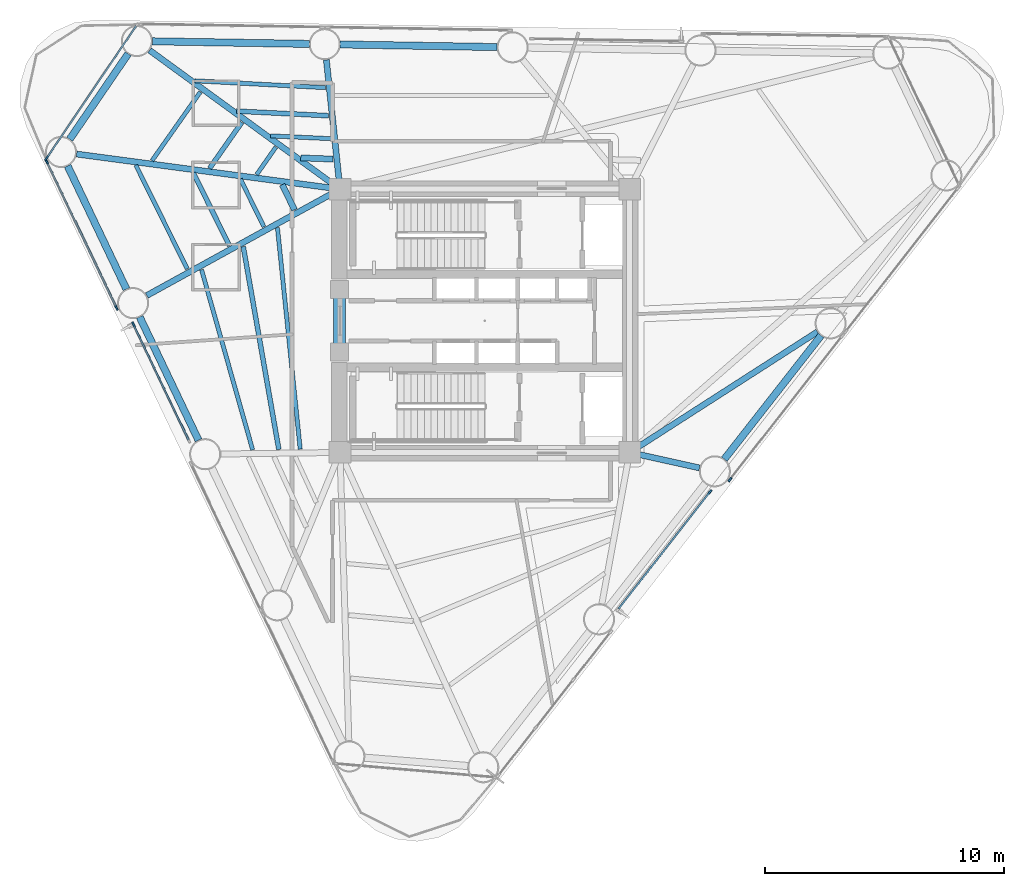
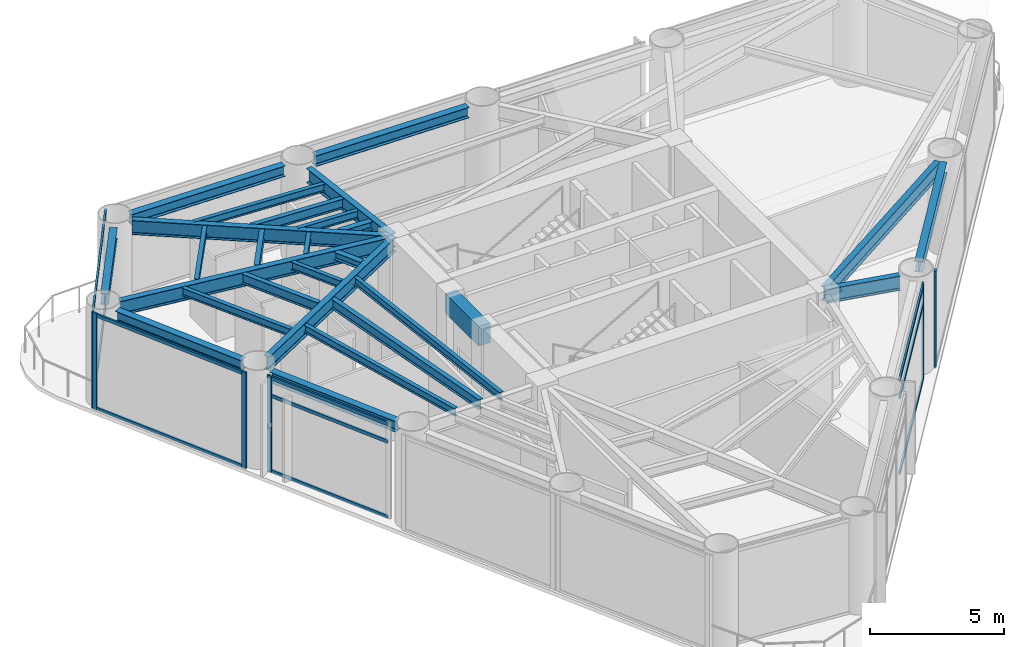
# One storey, part 3 of 11: 27 beams, 16 members, 5 elements without a shape of their own.
"""IFC4 building model written with IfcOpenShell, lengths in metres."""

from ifc_helpers import new_model, si_unit, direction, frame, origin, origin_2d, place, context, subcontext, project, spatial, rectangle, i_section, extrude, source, transform, mapped, material, layer, layer_set, material_profile, profile_set, type_object, element, aggregate, save


model = new_model("IFC4")

# Units and contexts
model_context = context("Model", 3, precision=1e-05, world=origin(), true_north=direction((0.0, 1.0)))
body_context = subcontext(model_context, "Body", "Model", "MODEL_VIEW")
ifc_project = project(units=[si_unit("LENGTHUNIT", "METRE"), si_unit("AREAUNIT", "SQUARE_METRE"), si_unit("VOLUMEUNIT", "CUBIC_METRE"), si_unit("PLANEANGLEUNIT", "RADIAN"), si_unit("MASSUNIT", "GRAM", prefix="KILO")], contexts=[model_context])

# Site, building, storey
site_placement = place(None, origin())
site = spatial("IfcSite", under=ifc_project, at=site_placement, CompositionType="ELEMENT")
building_placement = place(site_placement, origin())
building = spatial("IfcBuilding", under=site, at=building_placement, Name="Yunling Apex Tower", CompositionType="ELEMENT")
storey_placement = place(building_placement, frame((0.0, 0.0, 125.0)))
storey = spatial("IfcBuildingStorey", under=building, at=storey_placement, Name="L30", CompositionType="ELEMENT", Elevation=125.0)

# Beams
ifc_material_1 = material(Name="Concrete C50", Category="concrete")
ifc_material_profile_1 = material_profile(ifc_material_1, rectangle(XDim=0.5, YDim=0.89990234375, at=origin_2d()))
ifc_profile_set_1 = profile_set([ifc_material_profile_1], Name="Concrete C50")
beam_type_1 = type_object("IfcBeamType", Name="BC-CPL-2", PredefinedType="BEAM", material=ifc_profile_set_1)
shared_shape_1 = source(origin(), body_context, "Body", "SweptSolid", [
    extrude(rectangle(XDim=0.5, YDim=0.89990234375, at=origin_2d()), origin(), (0.0, 0.0, 1.0), 2.5),
])
beam_1_placement = place(storey_placement, frame((-6.074951171875, -1.25, 3.8701171875), z_axis=(0.0, 1.0, 0.0), x_axis=(-1.0, 0.0, 0.0)))
element("IfcBeam", 1, at=beam_1_placement, inside=storey, type_object=beam_type_1, Name="L30 Core West Portal Coupling Beam", PredefinedType="BEAM", context=body_context, shape_type="MappedRepresentation", body=[
    mapped(shared_shape_1, transform((0.0, 0.0, 0.0), scale=1.0)),
])
ifc_material_2 = material(Name="Steel Q355B", Category="steel")
ifc_material_profile_2 = material_profile(ifc_material_2, i_section(OverallWidth=0.300048828125, OverallDepth=0.489990234375, WebThickness=0.010986328125, FlangeThickness=0.01806640625, FilletRadius=0.02197265625, at=origin_2d()))
ifc_profile_set_2 = profile_set([ifc_material_profile_2], Name="Steel Q355B")
beam_type_2 = type_object("IfcBeamType", Name="BP-SPN-2", PredefinedType="SPANDREL", material=ifc_profile_set_2)
shared_shape_2 = source(origin(), body_context, "Body", "SweptSolid", [
    extrude(i_section(OverallWidth=0.300048828125, OverallDepth=0.489990234375, WebThickness=0.010986328125, FlangeThickness=0.01806640625, FilletRadius=0.02197265625, at=origin_2d()), origin(), (0.0, 0.0, 1.0), 6.562255859375),
])
beam_2_placement = place(storey_placement, frame((0.5166015625, 11.4375, 4.074951171875), z_axis=(-0.999859222118, 0.0167790329, 0.0), x_axis=(-0.0167790329, -0.999859222118, 0.0)))
element("IfcBeam", 2, at=beam_2_placement, inside=storey, type_object=beam_type_2, Name="L30 Perimeter Spandrel Beam 8", PredefinedType="SPANDREL", context=body_context, shape_type="MappedRepresentation", body=[
    mapped(shared_shape_2, transform((0.0, 0.0, 0.0), scale=1.0)),
])
shared_shape_3 = source(origin(), body_context, "Body", "SweptSolid", [
    extrude(i_section(OverallWidth=0.300048828125, OverallDepth=0.489990234375, WebThickness=0.010986328125, FlangeThickness=0.01806640625, FilletRadius=0.02197265625, at=origin_2d()), origin(), (0.0, 0.0, 1.0), 6.56201171875),
])
for number, where, z_axis, x_axis, name in (
    (3, (10.00732421875, -5.781982421875, 4.074951171875), (0.616233019323, 0.787563880518, 0.0), (-0.787563880518, 0.616233019323, 0.0), "L30 Perimeter Spandrel Beam 3"),
    (4, (-7.33251953125, 11.569091796875, 4.074951171875), (-0.999859211643, 0.016779657083, 0.0), (-0.016779657083, -0.999859211643, 0.0), "L30 Perimeter Spandrel Beam 9"),
):
    element("IfcBeam", number, at=place(storey_placement, frame(where, z_axis=z_axis, x_axis=x_axis)), inside=storey, type_object=beam_type_2, Name=name, PredefinedType="SPANDREL", context=body_context, shape_type="MappedRepresentation", body=[
        mapped(shared_shape_3, transform((0.0, 0.0, 0.0), scale=1.0)),
    ])
shared_shape_4 = source(origin(), body_context, "Body", "SweptSolid", [
    extrude(i_section(OverallWidth=0.300048828125, OverallDepth=0.489990234375, WebThickness=0.010986328125, FlangeThickness=0.01806640625, FilletRadius=0.02197265625, at=origin_2d()), origin(), (0.0, 0.0, 1.0), 4.328125),
])
beam_3_placement = place(storey_placement, frame((-14.901123046875, 11.158447265625, 4.074951171875), z_axis=(-0.564631339119, -0.825343232167, 0.0), x_axis=(0.825343232167, -0.564631339119, 0.0)))
element("IfcBeam", 5, at=beam_3_placement, inside=storey, type_object=beam_type_2, Name="L30 Perimeter Spandrel Beam 10", PredefinedType="SPANDREL", context=body_context, shape_type="MappedRepresentation", body=[
    mapped(shared_shape_4, transform((0.0, 0.0, 0.0), scale=1.0)),
])
shared_shape_5 = source(origin(), body_context, "Body", "SweptSolid", [
    extrude(i_section(OverallWidth=0.300048828125, OverallDepth=0.489990234375, WebThickness=0.010986328125, FlangeThickness=0.01806640625, FilletRadius=0.02197265625, at=origin_2d()), origin(), (0.0, 0.0, 1.0), 5.70751953125),
])
for number, where, z_axis, x_axis, name in (
    (6, (-17.431396484375, 6.473388671875, 4.074951171875), (0.430539541488, -0.902571716383, 0.0), (0.902571716383, 0.430539541488, 0.0), "L30 Perimeter Spandrel Beam 11"),
    (7, (-14.419677734375, 0.1591796875, 4.074951171875), (0.430539541488, -0.902571716383, 0.0), (0.902571716383, 0.430539541488, 0.0), "L30 Perimeter Spandrel Beam 12"),
):
    element("IfcBeam", number, at=place(storey_placement, frame(where, z_axis=z_axis, x_axis=x_axis)), inside=storey, type_object=beam_type_2, Name=name, PredefinedType="SPANDREL", context=body_context, shape_type="MappedRepresentation", body=[
        mapped(shared_shape_5, transform((0.0, 0.0, 0.0), scale=1.0)),
    ])
ifc_material_profile_3 = material_profile(ifc_material_2, i_section(OverallWidth=0.25, OverallDepth=0.64990234375, WebThickness=0.011962890625, FlangeThickness=0.02001953125, FilletRadius=0.02392578125, at=origin_2d()))
ifc_profile_set_3 = profile_set([ifc_material_profile_3], Name="Steel Q355B")
beam_type_3 = type_object("IfcBeamType", Name="BG-PRI-4", PredefinedType="USERDEFINED", material=ifc_profile_set_3)
shared_shape_6 = source(origin(), body_context, "Body", "SweptSolid", [
    extrude(i_section(OverallWidth=0.25, OverallDepth=0.64990234375, WebThickness=0.011962890625, FlangeThickness=0.02001953125, FilletRadius=0.02392578125, at=origin_2d()), origin(), (0.0, 0.0, 1.0), 2.908935546875),
])
beam_4_placement = place(storey_placement, frame((8.96826171875, -6.14697265625, 3.9951171875), z_axis=(-0.976295546219, 0.216441692917, 0.0), x_axis=(-0.216441692917, -0.976295546219, 0.0)))
element("IfcBeam", 8, at=beam_4_placement, inside=storey, type_object=beam_type_3, Name="L30 Radial Primary Girder R03", ObjectType="GIRDER", PredefinedType="USERDEFINED", context=body_context, shape_type="MappedRepresentation", body=[
    mapped(shared_shape_6, transform((0.0, 0.0, 0.0), scale=1.0)),
])
shared_shape_7 = source(origin(), body_context, "Body", "SweptSolid", [
    extrude(i_section(OverallWidth=0.25, OverallDepth=0.64990234375, WebThickness=0.011962890625, FlangeThickness=0.02001953125, FilletRadius=0.02392578125, at=origin_2d()), origin(), (0.0, 0.0, 1.0), 9.24267578125),
])
beam_5_placement = place(storey_placement, frame((13.894287109375, -0.46240234375, 3.9951171875), z_axis=(-0.841433276896, -0.540361027954, 0.0), x_axis=(0.540361027954, -0.841433276896, 0.0)))
element("IfcBeam", 9, at=beam_5_placement, inside=storey, type_object=beam_type_3, Name="L30 Radial Primary Girder R04", ObjectType="GIRDER", PredefinedType="USERDEFINED", context=body_context, shape_type="MappedRepresentation", body=[
    mapped(shared_shape_7, transform((0.0, 0.0, 0.0), scale=1.0)),
])
shared_shape_8 = source(origin(), body_context, "Body", "SweptSolid", [
    extrude(i_section(OverallWidth=0.25, OverallDepth=0.64990234375, WebThickness=0.011962890625, FlangeThickness=0.02001953125, FilletRadius=0.02392578125, at=origin_2d()), origin(), (0.0, 0.0, 1.0), 5.35400390625),
])
beam_6_placement = place(storey_placement, frame((-6.619384765625, 10.904052734375, 3.9951171875), z_axis=(0.104789227106, -0.99449445342, 0.0), x_axis=(0.99449445342, 0.104789227106, 0.0)))
element("IfcBeam", 10, at=beam_6_placement, inside=storey, type_object=beam_type_3, Name="L30 Radial Primary Girder R09", ObjectType="GIRDER", PredefinedType="USERDEFINED", context=body_context, shape_type="MappedRepresentation", body=[
    mapped(shared_shape_8, transform((0.0, 0.0, 0.0), scale=1.0)),
])
shared_shape_9 = source(origin(), body_context, "Body", "SweptSolid", [
    extrude(i_section(OverallWidth=0.25, OverallDepth=0.64990234375, WebThickness=0.011962890625, FlangeThickness=0.02001953125, FilletRadius=0.02392578125, at=origin_2d()), origin(), (0.0, 0.0, 1.0), 9.76708984375),
])
beam_7_placement = place(storey_placement, frame((-14.005859375, 11.30224609375, 3.9951171875), z_axis=(0.807958193343, -0.589239813497, 0.0), x_axis=(0.589239813497, 0.807958193343, 0.0)))
element("IfcBeam", 11, at=beam_7_placement, inside=storey, type_object=beam_type_3, Name="L30 Radial Primary Girder R10", ObjectType="GIRDER", PredefinedType="USERDEFINED", context=body_context, shape_type="MappedRepresentation", body=[
    mapped(shared_shape_9, transform((0.0, 0.0, 0.0), scale=1.0)),
])
shared_shape_10 = source(origin(), body_context, "Body", "SweptSolid", [
    extrude(i_section(OverallWidth=0.25, OverallDepth=0.64990234375, WebThickness=0.011962890625, FlangeThickness=0.02001953125, FilletRadius=0.02392578125, at=origin_2d()), origin(), (0.0, 0.0, 1.0), 11.023681640625),
])
beam_8_placement = place(storey_placement, frame((-17.056396484375, 6.9677734375, 3.9951171875), z_axis=(0.991223838358, -0.132194183952, 0.0), x_axis=(0.132194183952, 0.991223838358, 0.0)))
element("IfcBeam", 12, at=beam_8_placement, inside=storey, type_object=beam_type_3, Name="L30 Radial Primary Girder R11", ObjectType="GIRDER", PredefinedType="USERDEFINED", context=body_context, shape_type="MappedRepresentation", body=[
    mapped(shared_shape_10, transform((0.0, 0.0, 0.0), scale=1.0)),
])
shared_shape_11 = source(origin(), body_context, "Body", "SweptSolid", [
    extrude(i_section(OverallWidth=0.25, OverallDepth=0.64990234375, WebThickness=0.011962890625, FlangeThickness=0.02001953125, FilletRadius=0.02392578125, at=origin_2d()), origin(), (0.0, 0.0, 1.0), 9.132080078125),
])
beam_9_placement = place(storey_placement, frame((-14.120361328125, 1.057861328125, 3.9951171875), z_axis=(0.876057251214, 0.482207105501, 0.0), x_axis=(-0.482207105501, 0.876057251214, 0.0)))
element("IfcBeam", 13, at=beam_9_placement, inside=storey, type_object=beam_type_3, Name="L30 Radial Primary Girder R12", ObjectType="GIRDER", PredefinedType="USERDEFINED", context=body_context, shape_type="MappedRepresentation", body=[
    mapped(shared_shape_11, transform((0.0, 0.0, 0.0), scale=1.0)),
])
ifc_material_profile_4 = material_profile(ifc_material_2, i_section(OverallWidth=0.199951171875, OverallDepth=0.449951171875, WebThickness=0.009033203125, FlangeThickness=0.013916015625, FilletRadius=0.01806640625, at=origin_2d()))
ifc_profile_set_4 = profile_set([ifc_material_profile_4], Name="Steel Q355B")
beam_type_4 = type_object("IfcBeamType", Name="BS-SEC-3", PredefinedType="BEAM", material=ifc_profile_set_4)
shared_shape_12 = source(origin(), body_context, "Body", "SweptSolid", [
    extrude(i_section(OverallWidth=0.199951171875, OverallDepth=0.449951171875, WebThickness=0.009033203125, FlangeThickness=0.013916015625, FilletRadius=0.01806640625, at=origin_2d()), origin(), (0.0, 0.0, 1.0), 3.84619140625),
])
beam_10_placement = place(storey_placement, frame((-6.532470703125, 8.5693359375, 4.094970703125), z_axis=(-0.998745046624, 0.050083249128, 0.0), x_axis=(-0.050083249128, -0.998745046624, 0.0)))
element("IfcBeam", 14, at=beam_10_placement, inside=storey, type_object=beam_type_4, Name="L30 Composite Floor Beam BS-9", PredefinedType="BEAM", context=body_context, shape_type="MappedRepresentation", body=[
    mapped(shared_shape_12, transform((0.0, 0.0, 0.0), scale=1.0)),
])
ifc_material_profile_5 = material_profile(ifc_material_2, i_section(OverallWidth=0.175048828125, OverallDepth=0.35009765625, WebThickness=0.007080078125, FlangeThickness=0.010986328125, FilletRadius=0.013916015625, at=origin_2d()))
ifc_profile_set_5 = profile_set([ifc_material_profile_5], Name="Steel Q355B")
beam_type_5 = type_object("IfcBeamType", Name="BJ-JST-1", PredefinedType="JOIST", material=ifc_profile_set_5)
shared_shape_13 = source(origin(), body_context, "Body", "SweptSolid", [
    extrude(i_section(OverallWidth=0.175048828125, OverallDepth=0.35009765625, WebThickness=0.007080078125, FlangeThickness=0.010986328125, FilletRadius=0.013916015625, at=origin_2d()), origin(), (0.0, 0.0, 1.0), 5.4619140625),
])
beam_11_placement = place(storey_placement, frame((-6.65576171875, 9.740966796875, 4.14501953125), z_axis=(-0.998619804272, 0.052521295825, 0.0), x_axis=(-0.052521295825, -0.998619804272, 0.0)))
element("IfcBeam", 15, at=beam_11_placement, inside=storey, type_object=beam_type_5, Name="L30 Composite Floor Joist BJ1-9", PredefinedType="JOIST", context=body_context, shape_type="MappedRepresentation", body=[
    mapped(shared_shape_13, transform((0.0, 0.0, 0.0), scale=1.0)),
])
shared_shape_14 = source(origin(), body_context, "Body", "SweptSolid", [
    extrude(i_section(OverallWidth=0.175048828125, OverallDepth=0.35009765625, WebThickness=0.007080078125, FlangeThickness=0.010986328125, FilletRadius=0.013916015625, at=origin_2d()), origin(), (0.0, 0.0, 1.0), 2.52490234375),
])
beam_12_placement = place(storey_placement, frame((-6.431396484375, 7.6103515625, 4.14501953125), z_axis=(-0.998935787548, 0.046122579679, 0.0), x_axis=(-0.046122579679, -0.998935787548, 0.0)))
element("IfcBeam", 16, at=beam_12_placement, inside=storey, type_object=beam_type_5, Name="L30 Composite Floor Joist BJ3-9", PredefinedType="JOIST", context=body_context, shape_type="MappedRepresentation", body=[
    mapped(shared_shape_14, transform((0.0, 0.0, 0.0), scale=1.0)),
])
ifc_material_profile_6 = material_profile(ifc_material_2, i_section(OverallWidth=0.25, OverallDepth=0.340087890625, WebThickness=0.009033203125, FlangeThickness=0.013916015625, FilletRadius=0.01806640625, at=origin_2d()))
ifc_profile_set_6 = profile_set([ifc_material_profile_6], Name="Steel Q355B")
beam_type_6 = type_object("IfcBeamType", Name="BJ-JST-2", PredefinedType="JOIST", material=ifc_profile_set_6)
shared_shape_15 = source(origin(), body_context, "Body", "SweptSolid", [
    extrude(i_section(OverallWidth=0.25, OverallDepth=0.340087890625, WebThickness=0.009033203125, FlangeThickness=0.013916015625, FilletRadius=0.01806640625, at=origin_2d()), origin(), (0.0, 0.0, 1.0), 1.35009765625),
])
beam_13_placement = place(storey_placement, frame((-6.341796875, 6.7568359375, 4.14990234375), z_axis=(-0.999299138543, 0.03743302962, 0.0), x_axis=(-0.03743302962, -0.999299138543, 0.0)))
element("IfcBeam", 17, at=beam_13_placement, inside=storey, type_object=beam_type_6, Name="L30 Composite Floor Joist BJ2-9", PredefinedType="JOIST", context=body_context, shape_type="MappedRepresentation", body=[
    mapped(shared_shape_15, transform((0.0, 0.0, 0.0), scale=1.0)),
])
shared_shape_16 = source(origin(), body_context, "Body", "SweptSolid", [
    extrude(i_section(OverallWidth=0.199951171875, OverallDepth=0.449951171875, WebThickness=0.009033203125, FlangeThickness=0.013916015625, FilletRadius=0.01806640625, at=origin_2d()), origin(), (0.0, 0.0, 1.0), 2.349365234375),
])
beam_14_placement = place(storey_placement, frame((-10.152099609375, 8.293701171875, 4.094970703125), z_axis=(-0.574138652216, -0.818758088834, 0.0), x_axis=(0.818758088834, -0.574138652216, 0.0)))
element("IfcBeam", 18, at=beam_14_placement, inside=storey, type_object=beam_type_4, Name="L30 Composite Floor Beam BS-10", PredefinedType="BEAM", context=body_context, shape_type="MappedRepresentation", body=[
    mapped(shared_shape_16, transform((0.0, 0.0, 0.0), scale=1.0)),
])
shared_shape_17 = source(origin(), body_context, "Body", "SweptSolid", [
    extrude(i_section(OverallWidth=0.175048828125, OverallDepth=0.35009765625, WebThickness=0.007080078125, FlangeThickness=0.010986328125, FilletRadius=0.013916015625, at=origin_2d()), origin(), (0.0, 0.0, 1.0), 3.5068359375),
])
beam_15_placement = place(storey_placement, frame((-11.88818359375, 9.559814453125, 4.14501953125), z_axis=(-0.575031163817, -0.818131505712, 0.0), x_axis=(0.818131505712, -0.575031163817, 0.0)))
element("IfcBeam", 19, at=beam_15_placement, inside=storey, type_object=beam_type_5, Name="L30 Composite Floor Joist BJ1-10", PredefinedType="JOIST", context=body_context, shape_type="MappedRepresentation", body=[
    mapped(shared_shape_17, transform((0.0, 0.0, 0.0), scale=1.0)),
])
shared_shape_18 = source(origin(), body_context, "Body", "SweptSolid", [
    extrude(i_section(OverallWidth=0.175048828125, OverallDepth=0.35009765625, WebThickness=0.007080078125, FlangeThickness=0.010986328125, FilletRadius=0.013916015625, at=origin_2d()), origin(), (0.0, 0.0, 1.0), 1.40185546875),
])
beam_16_placement = place(storey_placement, frame((-8.7314453125, 7.257568359375, 4.14501953125), z_axis=(-0.572573774169, -0.819853202186, 0.0), x_axis=(0.819853202186, -0.572573774169, 0.0)))
element("IfcBeam", 20, at=beam_16_placement, inside=storey, type_object=beam_type_5, Name="L30 Composite Floor Joist BJ3-10", PredefinedType="JOIST", context=body_context, shape_type="MappedRepresentation", body=[
    mapped(shared_shape_18, transform((0.0, 0.0, 0.0), scale=1.0)),
])
shared_shape_19 = source(origin(), body_context, "Body", "SweptSolid", [
    extrude(i_section(OverallWidth=0.199951171875, OverallDepth=0.449951171875, WebThickness=0.009033203125, FlangeThickness=0.013916015625, FilletRadius=0.01806640625, at=origin_2d()), origin(), (0.0, 0.0, 1.0), 3.396484375),
])
beam_17_placement = place(storey_placement, frame((-12.177490234375, 6.18310546875, 4.094970703125), z_axis=(0.443500732864, -0.896274009413, 0.0), x_axis=(0.896274009413, 0.443500732864, 0.0)))
element("IfcBeam", 21, at=beam_17_placement, inside=storey, type_object=beam_type_4, Name="L30 Composite Floor Beam BS-11", PredefinedType="BEAM", context=body_context, shape_type="MappedRepresentation", body=[
    mapped(shared_shape_19, transform((0.0, 0.0, 0.0), scale=1.0)),
])
shared_shape_20 = source(origin(), body_context, "Body", "SweptSolid", [
    extrude(i_section(OverallWidth=0.175048828125, OverallDepth=0.35009765625, WebThickness=0.007080078125, FlangeThickness=0.010986328125, FilletRadius=0.013916015625, at=origin_2d()), origin(), (0.0, 0.0, 1.0), 4.837890625),
])
beam_18_placement = place(storey_placement, frame((-14.581298828125, 6.50390625, 4.14501953125), z_axis=(0.444385383115, -0.895835716677, 0.0), x_axis=(0.895835716677, 0.444385383115, 0.0)))
element("IfcBeam", 22, at=beam_18_placement, inside=storey, type_object=beam_type_5, Name="L30 Composite Floor Joist BJ1-11", PredefinedType="JOIST", context=body_context, shape_type="MappedRepresentation", body=[
    mapped(shared_shape_20, transform((0.0, 0.0, 0.0), scale=1.0)),
])
shared_shape_21 = source(origin(), body_context, "Body", "SweptSolid", [
    extrude(i_section(OverallWidth=0.175048828125, OverallDepth=0.35009765625, WebThickness=0.007080078125, FlangeThickness=0.010986328125, FilletRadius=0.013916015625, at=origin_2d()), origin(), (0.0, 0.0, 1.0), 2.217529296875),
])
beam_19_placement = place(storey_placement, frame((-10.2109375, 5.9208984375, 4.14501953125), z_axis=(0.441921230905, -0.897053858848, 0.0), x_axis=(0.897053858848, 0.441921230905, 0.0)))
element("IfcBeam", 23, at=beam_19_placement, inside=storey, type_object=beam_type_5, Name="L30 Composite Floor Joist BJ3-11", PredefinedType="JOIST", context=body_context, shape_type="MappedRepresentation", body=[
    mapped(shared_shape_21, transform((0.0, 0.0, 0.0), scale=1.0)),
])
shared_shape_22 = source(origin(), body_context, "Body", "SweptSolid", [
    extrude(i_section(OverallWidth=0.25, OverallDepth=0.340087890625, WebThickness=0.009033203125, FlangeThickness=0.013916015625, FilletRadius=0.01806640625, at=origin_2d()), origin(), (0.0, 0.0, 1.0), 1.16943359375),
])
beam_20_placement = place(storey_placement, frame((-8.463134765625, 5.6875, 4.14990234375), z_axis=(0.438592252634, -0.898686172103, 0.0), x_axis=(0.898686172103, 0.438592252634, 0.0)))
element("IfcBeam", 24, at=beam_20_placement, inside=storey, type_object=beam_type_6, Name="L30 Composite Floor Joist BJ2-11", PredefinedType="JOIST", context=body_context, shape_type="MappedRepresentation", body=[
    mapped(shared_shape_22, transform((0.0, 0.0, 0.0), scale=1.0)),
])
shared_shape_23 = source(origin(), body_context, "Body", "SweptSolid", [
    extrude(i_section(OverallWidth=0.199951171875, OverallDepth=0.449951171875, WebThickness=0.009033203125, FlangeThickness=0.013916015625, FilletRadius=0.01806640625, at=origin_2d()), origin(), (0.0, 0.0, 1.0), 8.60693359375),
])
beam_21_placement = place(storey_placement, frame((-10.092529296875, 3.10205078125, 4.094970703125), z_axis=(0.172691332669, -0.984975991393, 0.0), x_axis=(0.984975991393, 0.172691332669, 0.0)))
element("IfcBeam", 25, at=beam_21_placement, inside=storey, type_object=beam_type_4, Name="L30 Composite Floor Beam BS-12", PredefinedType="BEAM", context=body_context, shape_type="MappedRepresentation", body=[
    mapped(shared_shape_23, transform((0.0, 0.0, 0.0), scale=1.0)),
])
shared_shape_24 = source(origin(), body_context, "Body", "SweptSolid", [
    extrude(i_section(OverallWidth=0.175048828125, OverallDepth=0.35009765625, WebThickness=0.007080078125, FlangeThickness=0.010986328125, FilletRadius=0.013916015625, at=origin_2d()), origin(), (0.0, 0.0, 1.0), 7.82763671875),
])
beam_22_placement = place(storey_placement, frame((-11.836669921875, 2.136962890625, 4.14501953125), z_axis=(0.273002905438, -0.962013208653, 0.0), x_axis=(0.962013208653, 0.273002905438, 0.0)))
element("IfcBeam", 26, at=beam_22_placement, inside=storey, type_object=beam_type_5, Name="L30 Composite Floor Joist BJ1-12", PredefinedType="JOIST", context=body_context, shape_type="MappedRepresentation", body=[
    mapped(shared_shape_24, transform((0.0, 0.0, 0.0), scale=1.0)),
])
shared_shape_25 = source(origin(), body_context, "Body", "SweptSolid", [
    extrude(i_section(OverallWidth=0.175048828125, OverallDepth=0.35009765625, WebThickness=0.007080078125, FlangeThickness=0.010986328125, FilletRadius=0.013916015625, at=origin_2d()), origin(), (0.0, 0.0, 1.0), 9.303955078125),
])
beam_23_placement = place(storey_placement, frame((-8.663818359375, 3.89306640625, 4.14501953125), z_axis=(0.102153373674, -0.994768660668, 0.0), x_axis=(0.994768660668, 0.102153373674, 0.0)))
element("IfcBeam", 27, at=beam_23_placement, inside=storey, type_object=beam_type_5, Name="L30 Composite Floor Joist BJ3-12", PredefinedType="JOIST", context=body_context, shape_type="MappedRepresentation", body=[
    mapped(shared_shape_25, transform((0.0, 0.0, 0.0), scale=1.0)),
])

# Curtain wall, member
ifc_material_3 = material(Name="Bronze anodised aluminium", Category="aluminium")
ifc_layer = layer(ifc_material_3, 0.199951171875)
ifc_layer_set = layer_set([ifc_layer], Name="Bronze anodised aluminium")
curtain_wall_type = type_object("IfcCurtainWallType", Name="CW-SYS-5", PredefinedType="NOTDEFINED", material=ifc_layer_set)
curtain_wall_1_placement = place(storey_placement, origin())
curtain_wall_1 = element("IfcCurtainWall", 28, at=curtain_wall_1_placement, inside=storey, type_object=curtain_wall_type, Name="CW-L30-F1-B2", PredefinedType="NOTDEFINED")
ifc_material_profile_7 = material_profile(ifc_material_3, rectangle(XDim=0.074951171875, YDim=0.199951171875, at=origin_2d()))
ifc_profile_set_7 = profile_set([ifc_material_profile_7], Name="Bronze anodised aluminium")
member_type_1 = type_object("IfcMemberType", Name="CW-MUL-5", PredefinedType="MULLION", material=ifc_profile_set_7)
shared_shape_26 = source(origin(), body_context, "Body", "SweptSolid", [
    extrude(rectangle(XDim=0.074951171875, YDim=0.199951171875, at=origin_2d()), origin(), (0.0, 0.0, 1.0), 4.420166015625),
])
member_1_placement = place(storey_placement, frame((9.404296875, -7.1533203125, -0.050048828125), z_axis=(0.0, 0.0, 1.0), x_axis=(-0.787590269126, 0.616199292419, 0.0)))
member_1 = element("IfcMember", 29, at=member_1_placement, type_object=member_type_1, Name="CW-SYS-5 mullion 2", PredefinedType="MULLION", context=body_context, shape_type="MappedRepresentation", body=[
    mapped(shared_shape_26, transform((0.0, 0.0, 0.0), scale=1.0)),
])

curtain_wall_2_placement = place(storey_placement, origin())
curtain_wall_2 = element("IfcCurtainWall", 30, at=curtain_wall_2_placement, inside=storey, type_object=curtain_wall_type, Name="CW-L30-F1-B3", PredefinedType="NOTDEFINED")
member_2_placement = place(storey_placement, frame((10.2421875, -6.63427734375, -0.050048828125), z_axis=(0.0, 0.0, 1.0), x_axis=(-0.787583748686, 0.616207626377, 0.0)))
member_2 = element("IfcMember", 31, at=member_2_placement, type_object=member_type_1, Name="CW-SYS-5 mullion 1", PredefinedType="MULLION", context=body_context, shape_type="MappedRepresentation", body=[
    mapped(shared_shape_26, transform((0.0, 0.0, 0.0), scale=1.0)),
])
aggregate(curtain_wall_2, [member_2])

curtain_wall_3_placement = place(storey_placement, origin())
curtain_wall_3 = element("IfcCurtainWall", 32, at=curtain_wall_3_placement, inside=storey, type_object=curtain_wall_type, Name="CW-L30-CRN2", PredefinedType="NOTDEFINED")
member_3_placement = place(storey_placement, frame((-18.310302734375, 6.788818359375, -0.050048828125), z_axis=(0.0, 0.0, 1.0), x_axis=(0.82813882115, -0.560523052964, 0.0)))
member_3 = element("IfcMember", 33, at=member_3_placement, type_object=member_type_1, Name="CW-SYS-5 mullion 2", PredefinedType="MULLION", context=body_context, shape_type="MappedRepresentation", body=[
    mapped(shared_shape_26, transform((0.0, 0.0, 0.0), scale=1.0)),
])

# Curtain wall, members
curtain_wall_4_placement = place(storey_placement, origin())
curtain_wall_4 = element("IfcCurtainWall", 34, at=curtain_wall_4_placement, inside=storey, type_object=curtain_wall_type, Name="CW-L30-F3-B1", PredefinedType="NOTDEFINED")
member_4_placement = place(storey_placement, frame((-18.298828125, 6.64306640625, -0.050048828125), z_axis=(0.0, 0.0, 1.0), x_axis=(0.902587765133, 0.4305058957, 0.0)))
member_4 = element("IfcMember", 35, at=member_4_placement, type_object=member_type_1, Name="CW-SYS-5 mullion 1", PredefinedType="MULLION", context=body_context, shape_type="MappedRepresentation", body=[
    mapped(shared_shape_26, transform((0.0, 0.0, 0.0), scale=1.0)),
])
member_5_placement = place(storey_placement, frame((-15.38818359375, 0.541015625, -0.050048828125), z_axis=(0.0, 0.0, 1.0), x_axis=(0.902587765133, 0.4305058957, 0.0)))
member_5 = element("IfcMember", 36, at=member_5_placement, type_object=member_type_1, Name="CW-SYS-5 mullion 2", PredefinedType="MULLION", context=body_context, shape_type="MappedRepresentation", body=[
    mapped(shared_shape_26, transform((0.0, 0.0, 0.0), scale=1.0)),
])

# Curtain wall, member
curtain_wall_5_placement = place(storey_placement, origin())
curtain_wall_5 = element("IfcCurtainWall", 37, at=curtain_wall_5_placement, inside=storey, type_object=curtain_wall_type, Name="CW-L30-F3-B2", PredefinedType="NOTDEFINED")
member_6_placement = place(storey_placement, frame((-14.68310546875, -0.1474609375, -0.050048828125), z_axis=(0.0, 0.0, 1.0), x_axis=(0.902579794247, 0.430522606859, 0.0)))
member_6 = element("IfcMember", 38, at=member_6_placement, type_object=member_type_1, Name="CW-SYS-5 mullion 1", PredefinedType="MULLION", context=body_context, shape_type="MappedRepresentation", body=[
    mapped(shared_shape_26, transform((0.0, 0.0, 0.0), scale=1.0)),
])

# Member
ifc_material_profile_8 = material_profile(ifc_material_3, rectangle(XDim=0.074951171875, YDim=0.155029296875, at=origin_2d()))
ifc_profile_set_8 = profile_set([ifc_material_profile_8], Name="Bronze anodised aluminium")
member_type_2 = type_object("IfcMemberType", Name="CW-TRN-5", PredefinedType="USERDEFINED", material=ifc_profile_set_8)
shared_shape_27 = source(origin(), body_context, "Body", "SweptSolid", [
    extrude(rectangle(XDim=0.074951171875, YDim=0.155029296875, at=origin_2d()), origin(), (0.0, 0.0, 1.0), 6.16748046875),
])
member_7_placement = place(storey_placement, frame((5.5830078125, -12.037353515625, 0.03759765625), z_axis=(0.616215398015, 0.787577668074, 0.0), x_axis=(-0.787577668074, 0.616215398015, 0.0)))
member_7 = element("IfcMember", 39, at=member_7_placement, type_object=member_type_2, Name="CW-SYS-5 transom 1.1", ObjectType="TRANSOM", PredefinedType="USERDEFINED", context=body_context, shape_type="MappedRepresentation", body=[
    mapped(shared_shape_27, transform((0.0, 0.0, 0.0), scale=1.0)),
])

member_8_placement = place(storey_placement, frame((5.5830078125, -12.037353515625, 3.469970703125), z_axis=(0.616215398015, 0.787577668074, 0.0), x_axis=(-0.787577668074, 0.616215398015, 0.0)))
member_8 = element("IfcMember", 40, at=member_8_placement, type_object=member_type_2, Name="CW-SYS-5 transom 1.2", ObjectType="TRANSOM", PredefinedType="USERDEFINED", context=body_context, shape_type="MappedRepresentation", body=[
    mapped(shared_shape_27, transform((0.0, 0.0, 0.0), scale=1.0)),
])

member_9_placement = place(storey_placement, frame((5.5830078125, -12.037353515625, 4.282470703125), z_axis=(0.616215398015, 0.787577668074, 0.0), x_axis=(-0.787577668074, 0.616215398015, 0.0)))
member_9 = element("IfcMember", 41, at=member_9_placement, type_object=member_type_2, Name="CW-SYS-5 transom 1.3", ObjectType="TRANSOM", PredefinedType="USERDEFINED", context=body_context, shape_type="MappedRepresentation", body=[
    mapped(shared_shape_27, transform((0.0, 0.0, 0.0), scale=1.0)),
])

aggregate(curtain_wall_1, [member_1, member_7, member_8, member_9])

shared_shape_28 = source(origin(), body_context, "Body", "SweptSolid", [
    extrude(rectangle(XDim=0.074951171875, YDim=0.155029296875, at=origin_2d()), origin(), (0.0, 0.0, 1.0), 6.646240234375),
])
member_10_placement = place(storey_placement, frame((-14.56591796875, 12.32080078125, 0.03759765625), z_axis=(-0.560527268273, -0.828135968016, 0.0), x_axis=(0.828135968016, -0.560527268273, 0.0)))
member_10 = element("IfcMember", 42, at=member_10_placement, type_object=member_type_2, Name="CW-SYS-5 transom 1.1", ObjectType="TRANSOM", PredefinedType="USERDEFINED", context=body_context, shape_type="MappedRepresentation", body=[
    mapped(shared_shape_28, transform((0.0, 0.0, 0.0), scale=1.0)),
])

member_11_placement = place(storey_placement, frame((-14.56591796875, 12.32080078125, 4.282470703125), z_axis=(-0.560527268273, -0.828135968016, 0.0), x_axis=(0.828135968016, -0.560527268273, 0.0)))
member_11 = element("IfcMember", 43, at=member_11_placement, type_object=member_type_2, Name="CW-SYS-5 transom 1.2", ObjectType="TRANSOM", PredefinedType="USERDEFINED", context=body_context, shape_type="MappedRepresentation", body=[
    mapped(shared_shape_28, transform((0.0, 0.0, 0.0), scale=1.0)),
])

aggregate(curtain_wall_3, [member_3, member_10, member_11])

shared_shape_29 = source(origin(), body_context, "Body", "SweptSolid", [
    extrude(rectangle(XDim=0.074951171875, YDim=0.155029296875, at=origin_2d()), origin(), (0.0, 0.0, 1.0), 6.693115234375),
])
member_12_placement = place(storey_placement, frame((-18.2841796875, 6.61279296875, 0.03759765625), z_axis=(0.430488526099, -0.90259604968, 0.0), x_axis=(0.90259604968, 0.430488526099, 0.0)))
member_12 = element("IfcMember", 44, at=member_12_placement, type_object=member_type_2, Name="CW-SYS-5 transom 1.1", ObjectType="TRANSOM", PredefinedType="USERDEFINED", context=body_context, shape_type="MappedRepresentation", body=[
    mapped(shared_shape_29, transform((0.0, 0.0, 0.0), scale=1.0)),
])

member_13_placement = place(storey_placement, frame((-18.2841796875, 6.61279296875, 4.282470703125), z_axis=(0.430488526099, -0.90259604968, 0.0), x_axis=(0.90259604968, 0.430488526099, 0.0)))
member_13 = element("IfcMember", 45, at=member_13_placement, type_object=member_type_2, Name="CW-SYS-5 transom 1.2", ObjectType="TRANSOM", PredefinedType="USERDEFINED", context=body_context, shape_type="MappedRepresentation", body=[
    mapped(shared_shape_29, transform((0.0, 0.0, 0.0), scale=1.0)),
])

aggregate(curtain_wall_4, [member_4, member_5, member_12, member_13])

shared_shape_30 = source(origin(), body_context, "Body", "SweptSolid", [
    extrude(rectangle(XDim=0.074951171875, YDim=0.155029296875, at=origin_2d()), origin(), (0.0, 0.0, 1.0), 5.313232421875),
])
member_14_placement = place(storey_placement, frame((-14.668701171875, -0.177978515625, 0.03759765625), z_axis=(0.430539905159, -0.902571542907, 0.0), x_axis=(0.902571542907, 0.430539905159, 0.0)))
member_14 = element("IfcMember", 46, at=member_14_placement, type_object=member_type_2, Name="CW-SYS-5 transom 1.1", ObjectType="TRANSOM", PredefinedType="USERDEFINED", context=body_context, shape_type="MappedRepresentation", body=[
    mapped(shared_shape_30, transform((0.0, 0.0, 0.0), scale=1.0)),
])

member_15_placement = place(storey_placement, frame((-14.668701171875, -0.177978515625, 3.469970703125), z_axis=(0.430539905159, -0.902571542907, 0.0), x_axis=(0.902571542907, 0.430539905159, 0.0)))
member_15 = element("IfcMember", 47, at=member_15_placement, type_object=member_type_2, Name="CW-SYS-5 transom 1.2", ObjectType="TRANSOM", PredefinedType="USERDEFINED", context=body_context, shape_type="MappedRepresentation", body=[
    mapped(shared_shape_30, transform((0.0, 0.0, 0.0), scale=1.0)),
])

member_16_placement = place(storey_placement, frame((-14.668701171875, -0.177978515625, 4.282470703125), z_axis=(0.430539905159, -0.902571542907, 0.0), x_axis=(0.902571542907, 0.430539905159, 0.0)))
member_16 = element("IfcMember", 48, at=member_16_placement, type_object=member_type_2, Name="CW-SYS-5 transom 1.3", ObjectType="TRANSOM", PredefinedType="USERDEFINED", context=body_context, shape_type="MappedRepresentation", body=[
    mapped(shared_shape_30, transform((0.0, 0.0, 0.0), scale=1.0)),
])

aggregate(curtain_wall_5, [member_6, member_14, member_15, member_16])

save(model, "model.ifc")
